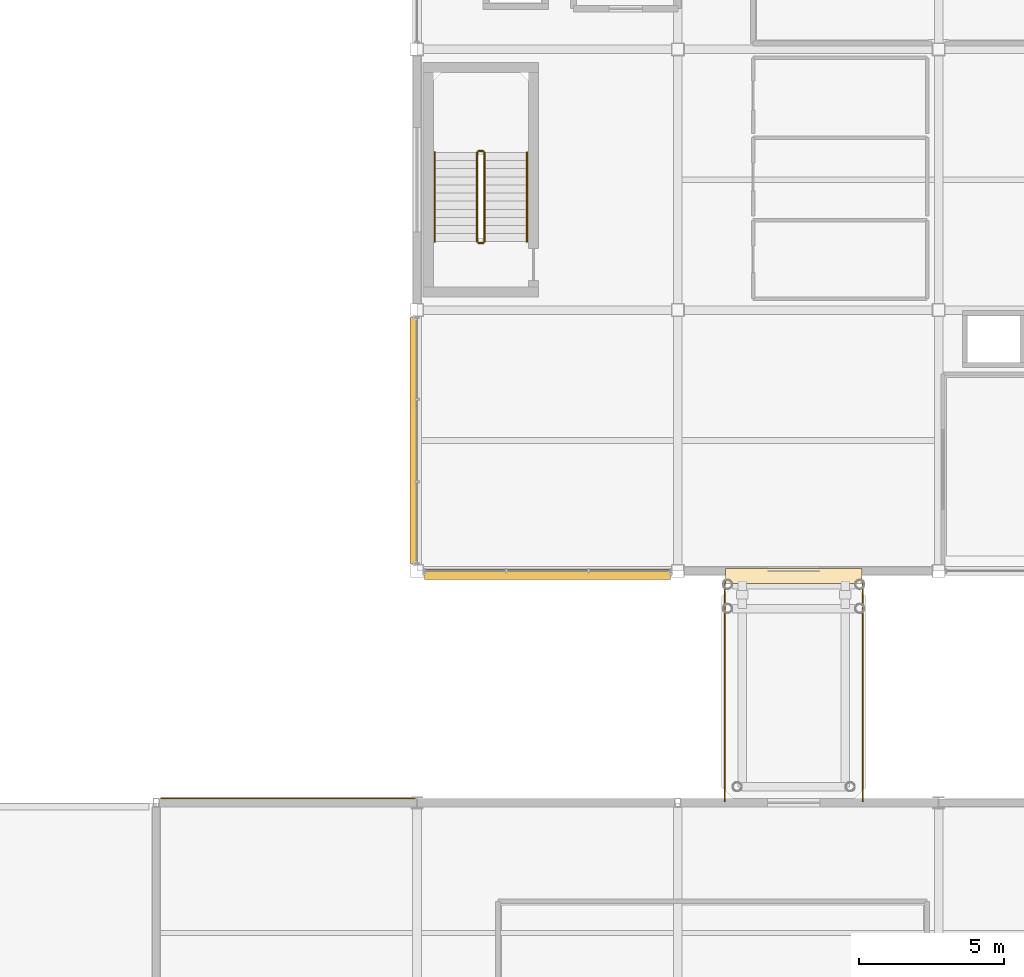
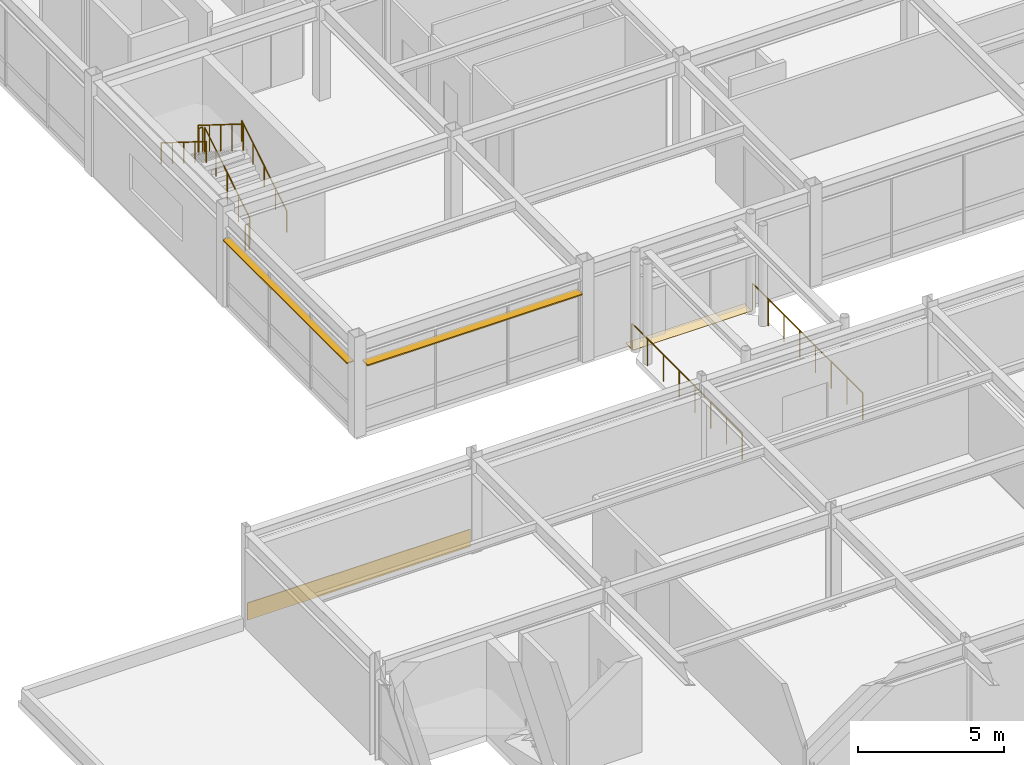
# One storey, part 102 of 105: 8 railings, 2 coverings, 2 shading devices.
"""IFC4 building model written with IfcOpenShell, lengths in metres."""

from ifc_helpers import new_model, si_unit, direction, frame, origin, origin_2d, place, context, subcontext, project, spatial, polyline, rectangle, circle, outline, extrude, material, layer, layer_set, material_profile, profile_set, type_object, element, save


model = new_model("IFC4")

# Units and contexts
model_context = context("Model", 3, precision=1e-05, world=origin(), true_north=direction((0.0, 1.0)))
body_context = subcontext(model_context, "Body", "Model", "MODEL_VIEW")
ifc_project = project(units=[si_unit("LENGTHUNIT", "METRE"), si_unit("AREAUNIT", "SQUARE_METRE"), si_unit("VOLUMEUNIT", "CUBIC_METRE"), si_unit("PLANEANGLEUNIT", "RADIAN"), si_unit("MASSUNIT", "GRAM", prefix="KILO")], contexts=[model_context])

# Site, building, storey
site_placement = place(None, origin())
site = spatial("IfcSite", under=ifc_project, at=site_placement, CompositionType="ELEMENT")
building_placement = place(site_placement, origin())
building = spatial("IfcBuilding", under=site, at=building_placement, Name="Suzunagisa Mobility Hub", CompositionType="ELEMENT")
storey_placement = place(building_placement, frame((0.0, 0.0, 5.10009765625)))
storey = spatial("IfcBuildingStorey", under=building, at=storey_placement, Name="L01", CompositionType="ELEMENT", Elevation=5.10009765625)

# Railings
ifc_material_1 = material(Name="Stainless Steel SUS304", Category="metal")
railing_type_1 = type_object("IfcRailingType", Name="Interior Well Guardrail IGR-01", PredefinedType="GUARDRAIL", material=ifc_material_1)
railing_1_placement = place(storey_placement, frame((146.330078125, 55.360107421875, 0.1748046875)))
element("IfcRailing", 1, at=railing_1_placement, inside=storey, type_object=railing_type_1, Name="L01 ST-11 stair guard 1", PredefinedType="GUARDRAIL", context=body_context, shape_type="SweptSolid", body=[
    extrude(circle(Radius=0.02392578125, at=origin_2d()), frame((0.0, 0.0, 1.09619140625), z_axis=(0.0, 0.847979421464, 0.530029150871), x_axis=(-1.0, 0.0, 0.0)), (0.0, 0.0, 1.0), 3.632080078125),
    extrude(circle(Radius=0.02099609375, at=origin_2d()), origin(), (0.0, 0.0, 1.0), 1.072021484375),
    extrude(circle(Radius=0.02099609375, at=origin_2d()), frame((0.0, 0.77001953125, 0.481201171875)), (0.0, 0.0, 1.0), 1.072021484375),
    extrude(circle(Radius=0.02099609375, at=origin_2d()), frame((0.0, 1.5400390625, 0.96240234375)), (0.0, 0.0, 1.0), 1.072021484375),
    extrude(circle(Radius=0.02099609375, at=origin_2d()), frame((0.0, 2.309814453125, 1.44384765625)), (0.0, 0.0, 1.0), 1.072021484375),
    extrude(circle(Radius=0.02099609375, at=origin_2d()), frame((0.0, 3.079833984375, 1.925048828125)), (0.0, 0.0, 1.0), 1.072021484375),
])
railing_2_placement = place(storey_placement, frame((146.280029296875, 58.489990234375, 2.099853515625)))
element("IfcRailing", 2, at=railing_2_placement, inside=storey, type_object=railing_type_1, Name="L01 ST-11 stair guard 2", PredefinedType="GUARDRAIL", context=body_context, shape_type="SweptSolid", body=[
    extrude(circle(Radius=0.02392578125, at=origin_2d()), frame((0.0, 0.0, 1.09619140625), z_axis=(-1.0, 0.0, 0.0), x_axis=(0.0, -1.0, 0.0)), (0.0, 0.0, 1.0), 0.159912109375),
    extrude(circle(Radius=0.02099609375, at=origin_2d()), origin(), (0.0, 0.0, 1.0), 1.072021484375),
    extrude(circle(Radius=0.02099609375, at=origin_2d()), frame((-0.159912109375, 0.0, 0.0)), (0.0, 0.0, 1.0), 1.072021484375),
])
railing_3_placement = place(storey_placement, frame((146.070068359375, 58.43994140625, 2.27490234375)))
element("IfcRailing", 3, at=railing_3_placement, inside=storey, type_object=railing_type_1, Name="L01 ST-11 stair guard 3", PredefinedType="GUARDRAIL", context=body_context, shape_type="SweptSolid", body=[
    extrude(circle(Radius=0.02392578125, at=origin_2d()), frame((0.0, 0.0, 1.09619140625), z_axis=(0.0, -0.847979421464, 0.530029150871), x_axis=(1.0, 0.0, 0.0)), (0.0, 0.0, 1.0), 3.632080078125),
    extrude(circle(Radius=0.02099609375, at=origin_2d()), origin(), (0.0, 0.0, 1.0), 1.072021484375),
    extrude(circle(Radius=0.02099609375, at=origin_2d()), frame((0.0, -0.77001953125, 0.481201171875)), (0.0, 0.0, 1.0), 1.072021484375),
    extrude(circle(Radius=0.02099609375, at=origin_2d()), frame((0.0, -1.5400390625, 0.96240234375)), (0.0, 0.0, 1.0), 1.072021484375),
    extrude(circle(Radius=0.02099609375, at=origin_2d()), frame((0.0, -2.309814453125, 1.44384765625)), (0.0, 0.0, 1.0), 1.072021484375),
    extrude(circle(Radius=0.02099609375, at=origin_2d()), frame((0.0, -3.079833984375, 1.925048828125)), (0.0, 0.0, 1.0), 1.072021484375),
])
railing_4_placement = place(storey_placement, frame((146.280029296875, 55.31005859375, 0.0)))
element("IfcRailing", 4, at=railing_4_placement, inside=storey, type_object=railing_type_1, Name="L01 ST-11 stair guard 4", PredefinedType="GUARDRAIL", context=body_context, shape_type="SweptSolid", body=[
    extrude(circle(Radius=0.02392578125, at=origin_2d()), frame((0.0, 0.0, 1.09619140625), z_axis=(-1.0, 0.0, 0.0), x_axis=(0.0, -1.0, 0.0)), (0.0, 0.0, 1.0), 0.159912109375),
    extrude(circle(Radius=0.02099609375, at=origin_2d()), origin(), (0.0, 0.0, 1.0), 1.072021484375),
    extrude(circle(Radius=0.02099609375, at=origin_2d()), frame((-0.159912109375, 0.0, 0.0)), (0.0, 0.0, 1.0), 1.072021484375),
])

# Coverings
ifc_material_2 = material(Name="Polished Aggregate Terrazzo Finish")
ifc_layer_1 = layer(ifc_material_2, 0.02001953125)
ifc_layer_set_1 = layer_set([ifc_layer_1], Name="Polished Aggregate Terrazzo Finish")
covering_type_1 = type_object("IfcCoveringType", Name="Polished Terrazzo Heavy-Traffic Flooring FLR-01", PredefinedType="FLOORING", material=ifc_layer_set_1)
covering_1_placement = place(storey_placement, frame((0.0, 0.0, -0.02001953125)))
element("IfcCovering", 5, at=covering_1_placement, inside=storey, type_object=covering_type_1, Name="L01 Flush Hinged Seismic Threshold Plate SB-03", PredefinedType="FLOORING", context=body_context, shape_type="SweptSolid", body=[
    extrude(outline(polyline([(154.64990234375, 43.570068359375), (159.35009765625, 43.570068359375), (159.35009765625, 44.080078125), (154.64990234375, 44.080078125), (154.64990234375, 43.570068359375)])), origin(), (0.0, 0.0, 1.0), 0.02001953125),
])
ifc_material_3 = material(Name="Vitreous Porcelain Enamel Aluminum Cladding", Category="aluminium")
ifc_layer_2 = layer(ifc_material_3, 0.034912109375)
ifc_layer_set_2 = layer_set([ifc_layer_2], Name="Vitreous Porcelain Enamel Aluminum Cladding")
covering_type_2 = type_object("IfcCoveringType", Name="Porcelain Enamel Spandrel Cladding Band CLD-01", PredefinedType="CLADDING", material=ifc_layer_set_2)
covering_2_placement = place(storey_placement, frame((139.5478515625, 36.157470703125, 0.06005859375), z_axis=(0.0, 0.0, 1.0), x_axis=(-1.0, 0.0, 0.0)))
element("IfcCovering", 6, at=covering_2_placement, inside=storey, type_object=covering_type_2, Name="L01 Porcelain Spandrel Cladding Band CLD-33", PredefinedType="CLADDING", context=body_context, shape_type="SweptSolid", body=[
    extrude(rectangle(XDim=8.79541015625, YDim=0.034912109375, at=origin_2d()), origin(), (0.0, 0.0, 1.0), 0.719970703125),
])

# Shading devices
ifc_material_4 = material(Name="Fluoropolymer-Coated Extruded Aluminum 6063-T5", Category="aluminium")
ifc_material_profile_1 = material_profile(ifc_material_4, rectangle(XDim=0.360107421875, YDim=0.050048828125, at=origin_2d()), Name="FIN-360x50")
ifc_profile_set_1 = profile_set([ifc_material_profile_1], Name="Fluoropolymer-Coated Extruded Aluminum 6063-T5")
shading_device_type_1 = type_object("IfcShadingDeviceType", Name="Streamline Aluminum Sunshade SF-01 FIN-360x50", PredefinedType="SHUTTER", material=ifc_profile_set_1)
shading_device_1_placement = place(storey_placement, frame((144.2548828125, 43.889892578125, 2.911865234375), z_axis=(1.0, 0.0, 0.0), x_axis=(0.0, 1.0, 0.0)))
element("IfcShadingDevice", 7, at=shading_device_1_placement, inside=storey, type_object=shading_device_type_1, Name="L01 Streamline Speed-Rail Sunshade Fin SF-39", PredefinedType="SHUTTER", context=body_context, shape_type="SweptSolid", body=[
    extrude(rectangle(XDim=0.360107421875, YDim=0.050048828125, at=origin_2d()), origin(), (0.0, 0.0, 1.0), 8.490234375),
])
ifc_material_profile_2 = material_profile(ifc_material_4, rectangle(XDim=0.280029296875, YDim=0.044921875, at=origin_2d()), Name="FIN-280x45")
ifc_profile_set_2 = profile_set([ifc_material_profile_2], Name="Fluoropolymer-Coated Extruded Aluminum 6063-T5")
shading_device_type_2 = type_object("IfcShadingDeviceType", Name="Streamline Aluminum Sunshade SF-02 FIN-280x45", PredefinedType="JALOUSIE", material=ifc_profile_set_2)
shading_device_2_placement = place(storey_placement, frame((143.892578125, 52.7451171875, 2.849853515625), z_axis=(0.0, -1.0, 0.0), x_axis=(1.0, 0.0, 0.0)))
element("IfcShadingDevice", 8, at=shading_device_2_placement, inside=storey, type_object=shading_device_type_2, Name="L01 Streamline Speed-Rail Sunshade Fin SF-42", PredefinedType="JALOUSIE", context=body_context, shape_type="SweptSolid", body=[
    extrude(rectangle(XDim=0.280029296875, YDim=0.044921875, at=origin_2d()), origin(), (0.0, 0.0, 1.0), 8.490234375),
])

# Railings
ifc_material_5 = material(Name="Anodized Aluminum and Stainless Steel SUS316", Category="metal")
railing_type_2 = type_object("IfcRailingType", Name="Streamline Ship-Deck Tubular Balustrade BL-01", PredefinedType="BALUSTRADE", material=ifc_material_5)
for number, where, name in (
    (9, (154.6201171875, 36.050048828125, 0.0), "L01 Bridge Edge Guardrail SB-03-63"),
    (10, (159.3798828125, 36.050048828125, 0.0), "L01 Bridge Edge Guardrail SB-03-64"),
):
    element("IfcRailing", number, at=place(storey_placement, frame(where)), inside=storey, type_object=railing_type_2, Name=name, PredefinedType="BALUSTRADE", context=body_context, shape_type="SweptSolid", body=[
        extrude(circle(Radius=0.02392578125, at=origin_2d()), frame((0.0, 0.0, 1.11572265625), z_axis=(0.0, 1.0, 0.0), x_axis=(-1.0, 0.0, 0.0)), (0.0, 0.0, 1.0), 7.550048828125),
        extrude(circle(Radius=0.02099609375, at=origin_2d()), origin(), (0.0, 0.0, 1.0), 1.091796875),
        extrude(circle(Radius=0.02099609375, at=origin_2d()), frame((0.0, 1.07861328125, 0.0)), (0.0, 0.0, 1.0), 1.091796875),
        extrude(circle(Radius=0.02099609375, at=origin_2d()), frame((0.0, 2.1572265625, 0.0)), (0.0, 0.0, 1.0), 1.091796875),
        extrude(circle(Radius=0.02099609375, at=origin_2d()), frame((0.0, 3.23583984375, 0.0)), (0.0, 0.0, 1.0), 1.091796875),
        extrude(circle(Radius=0.02099609375, at=origin_2d()), frame((0.0, 4.314208984375, 0.0)), (0.0, 0.0, 1.0), 1.091796875),
        extrude(circle(Radius=0.02099609375, at=origin_2d()), frame((0.0, 5.392822265625, 0.0)), (0.0, 0.0, 1.0), 1.091796875),
        extrude(circle(Radius=0.02099609375, at=origin_2d()), frame((0.0, 6.471435546875, 0.0)), (0.0, 0.0, 1.0), 1.091796875),
        extrude(circle(Radius=0.02099609375, at=origin_2d()), frame((0.0, 7.550048828125, 0.0)), (0.0, 0.0, 1.0), 1.091796875),
    ])
railing_type_3 = type_object("IfcRailingType", Name="Tubular Stainless Stair Handrail IHR-01", PredefinedType="HANDRAIL", material=ifc_material_1)
railing_5_placement = place(storey_placement, frame((147.7900390625, 55.360107421875, 0.1748046875)))
element("IfcRailing", 11, at=railing_5_placement, inside=storey, type_object=railing_type_3, Name="L01 ST-11 stair handrail 1", PredefinedType="HANDRAIL", context=body_context, shape_type="SweptSolid", body=[
    extrude(circle(Radius=0.02392578125, at=origin_2d()), frame((0.0, 0.0, 0.8759765625), z_axis=(0.0, 0.847979421464, 0.530029150871), x_axis=(-1.0, 0.0, 0.0)), (0.0, 0.0, 1.0), 3.632080078125),
    extrude(circle(Radius=0.02099609375, at=origin_2d()), origin(), (0.0, 0.0, 1.0), 0.851806640625),
    extrude(circle(Radius=0.02099609375, at=origin_2d()), frame((0.0, 0.77001953125, 0.481201171875)), (0.0, 0.0, 1.0), 0.851806640625),
    extrude(circle(Radius=0.02099609375, at=origin_2d()), frame((0.0, 1.5400390625, 0.96240234375)), (0.0, 0.0, 1.0), 0.851806640625),
    extrude(circle(Radius=0.02099609375, at=origin_2d()), frame((0.0, 2.309814453125, 1.44384765625)), (0.0, 0.0, 1.0), 0.851806640625),
    extrude(circle(Radius=0.02099609375, at=origin_2d()), frame((0.0, 3.079833984375, 1.925048828125)), (0.0, 0.0, 1.0), 0.851806640625),
])
railing_6_placement = place(storey_placement, frame((144.610107421875, 58.43994140625, 2.27490234375)))
element("IfcRailing", 12, at=railing_6_placement, inside=storey, type_object=railing_type_3, Name="L01 ST-11 stair handrail 2", PredefinedType="HANDRAIL", context=body_context, shape_type="SweptSolid", body=[
    extrude(circle(Radius=0.02392578125, at=origin_2d()), frame((0.0, 0.0, 0.8759765625), z_axis=(0.0, -0.847979421464, 0.530029150871), x_axis=(1.0, 0.0, 0.0)), (0.0, 0.0, 1.0), 3.632080078125),
    extrude(circle(Radius=0.02099609375, at=origin_2d()), origin(), (0.0, 0.0, 1.0), 0.851806640625),
    extrude(circle(Radius=0.02099609375, at=origin_2d()), frame((0.0, -0.77001953125, 0.481201171875)), (0.0, 0.0, 1.0), 0.851806640625),
    extrude(circle(Radius=0.02099609375, at=origin_2d()), frame((0.0, -1.5400390625, 0.96240234375)), (0.0, 0.0, 1.0), 0.851806640625),
    extrude(circle(Radius=0.02099609375, at=origin_2d()), frame((0.0, -2.309814453125, 1.44384765625)), (0.0, 0.0, 1.0), 0.851806640625),
    extrude(circle(Radius=0.02099609375, at=origin_2d()), frame((0.0, -3.079833984375, 1.925048828125)), (0.0, 0.0, 1.0), 0.851806640625),
])

save(model, "model.ifc")
